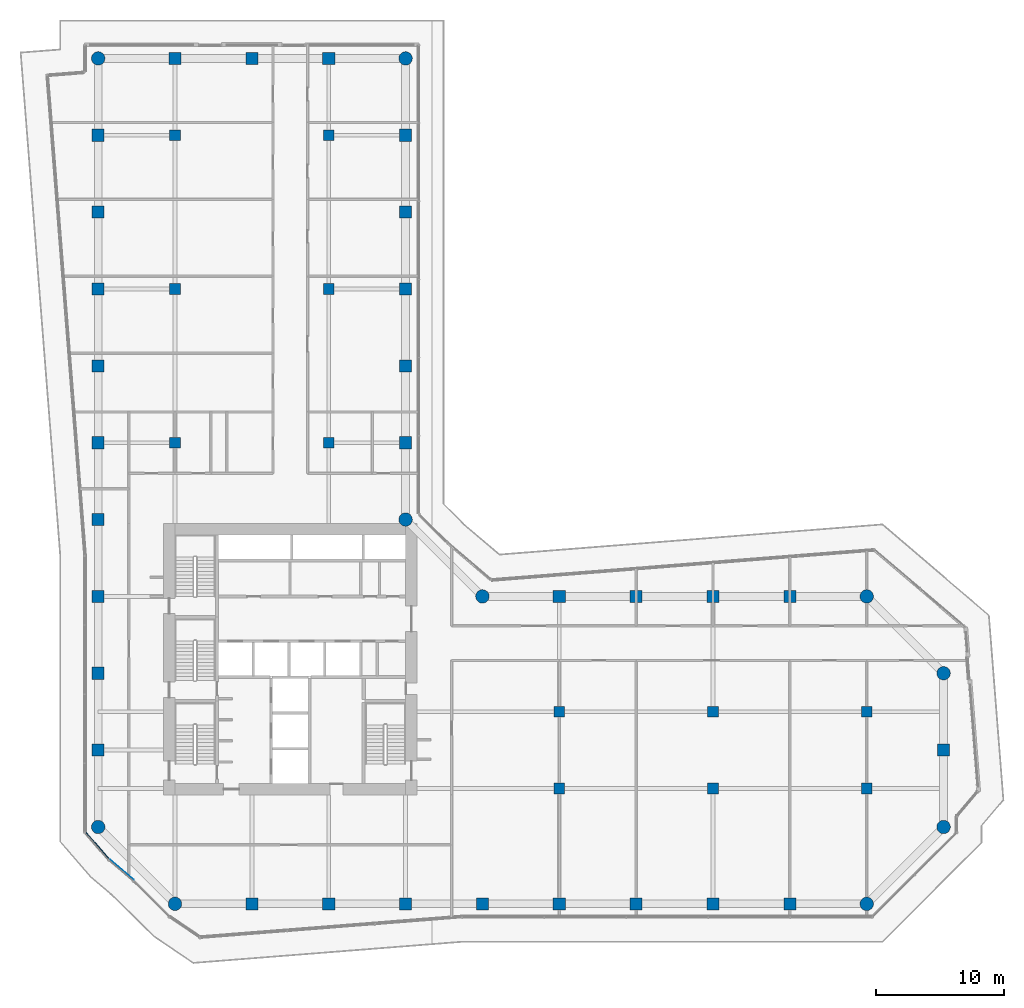
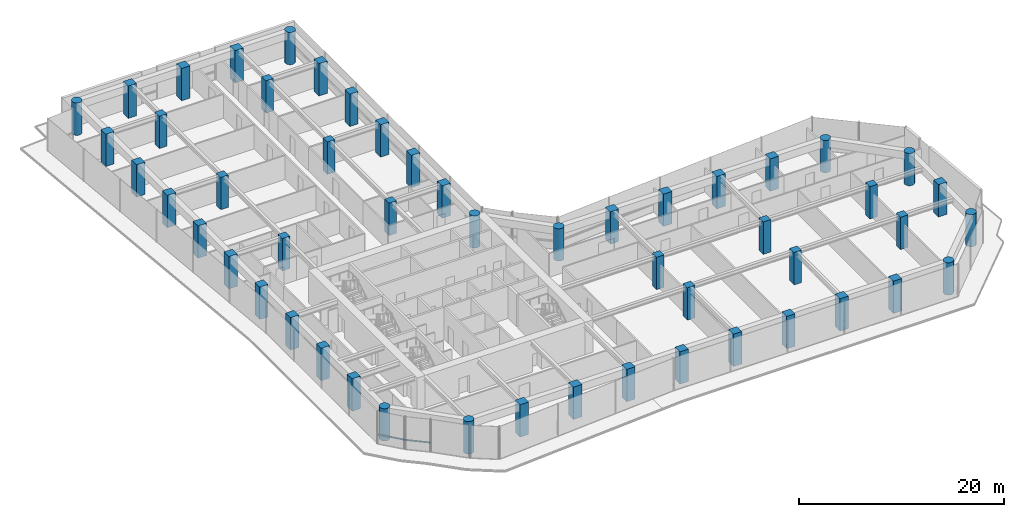
# One storey, part 1 of 28: 52 columns, 2 members, 2 elements without a shape of their own.
"""IFC4 building model written with IfcOpenShell, lengths in metres."""

from ifc_helpers import new_model, si_unit, direction, frame, origin, origin_2d, place, context, subcontext, project, spatial, rectangle, circle, extrude, material, layer, layer_set, material_profile, profile_set, type_object, element, aggregate, save


model = new_model("IFC4")

# Units and contexts
model_context = context("Model", 3, precision=1e-05, world=origin(), true_north=direction((0.0, 1.0)))
body_context = subcontext(model_context, "Body", "Model", "MODEL_VIEW")
ifc_project = project(units=[si_unit("LENGTHUNIT", "METRE"), si_unit("AREAUNIT", "SQUARE_METRE"), si_unit("VOLUMEUNIT", "CUBIC_METRE"), si_unit("PLANEANGLEUNIT", "RADIAN"), si_unit("MASSUNIT", "GRAM", prefix="KILO")], contexts=[model_context])

# Site, building, storey
site_placement = place(None, origin())
site = spatial("IfcSite", under=ifc_project, at=site_placement, CompositionType="ELEMENT")
building_placement = place(site_placement, origin())
building = spatial("IfcBuilding", under=site, at=building_placement, Name="Welwitschia Terrace Campus", CompositionType="ELEMENT")
storey_placement = place(building_placement, frame((0.0, 0.0, 71.0)))
storey = spatial("IfcBuildingStorey", under=building, at=storey_placement, Name="L16", CompositionType="ELEMENT", Elevation=71.0)

# Columns
ifc_material_1 = material(Name="Concrete C60/75", Category="concrete")
ifc_material_profile_1 = material_profile(ifc_material_1, circle(Radius=0.52490234375, at=origin_2d()))
ifc_profile_set_1 = profile_set([ifc_material_profile_1], Name="Concrete C60/75")
column_type_1 = type_object("IfcColumnType", Name="Corner column 1050 dia", PredefinedType="COLUMN", material=ifc_profile_set_1)
for number, where, z_axis, x_axis, name in (
    (1, (0.0, 2.0, 0.0), (0.0, 0.0, 1.0), (1.0, 0.0, 0.0), "Column C5"),
    (2, (0.0, 62.0, 0.0), (0.0, 0.0, 1.0), (1.0, 0.0, 0.0), "Column C5"),
    (3, (6.0, -4.0, 0.0), (0.0, 0.0, 1.0), (1.0, 0.0, 0.0), "Column C5"),
    (4, (24.0, 26.0, 0.0), (0.0, 0.0, 1.0), (1.0, 0.0, 0.0), "Column C5"),
    (5, (24.0, 62.0, 0.0), (0.0, 0.0, 1.0), (1.0, 0.0, 0.0), "Column C5"),
    (6, (30.0, 20.0, 0.0), (0.0, 0.0, 1.0), (1.0, 0.0, 0.0), "Column C5"),
    (7, (60.0, -4.0, 0.0), (0.0, 0.0, 1.0), (1.0, 0.0, 0.0), "Column C5"),
    (8, (60.0, 20.0, 0.0), (0.0, 0.0, 1.0), (1.0, 0.0, 0.0), "Column C5"),
    (9, (66.0, 2.0, 0.0), (0.0, 0.0, 1.0), (1.0, 0.0, 0.0), "Column C5"),
    (10, (66.0, 14.0, 0.0), (0.0, 0.0, 1.0), (1.0, 0.0, 0.0), "Column C5"),
):
    element("IfcColumn", number, at=place(storey_placement, frame(where, z_axis=z_axis, x_axis=x_axis)), inside=storey, type_object=column_type_1, Name=name, PredefinedType="COLUMN", context=body_context, shape_type="SweptSolid", body=[
        extrude(circle(Radius=0.52490234375, at=origin_2d()), origin(), (0.0, 0.0, 1.0), 3.85009765625),
    ])
ifc_material_2 = material(Name="Concrete C60/75", Category="concrete")
ifc_material_profile_2 = material_profile(ifc_material_2, rectangle(XDim=0.85009765625, YDim=0.85009765625, at=origin_2d()))
ifc_profile_set_2 = profile_set([ifc_material_profile_2], Name="Concrete C60/75")
column_type_2 = type_object("IfcColumnType", Name="Interior column 850x850", PredefinedType="COLUMN", material=ifc_profile_set_2)
for number, where, z_axis, x_axis, name in (
    (11, (6.0, 32.0, 0.0), (0.0, 0.0, 1.0), (1.0, 0.0, 0.0), "Column C7"),
    (12, (6.0, 44.0, 0.0), (0.0, 0.0, 1.0), (1.0, 0.0, 0.0), "Column C7"),
    (13, (6.0, 56.0, 0.0), (0.0, 0.0, 1.0), (1.0, 0.0, 0.0), "Column C7"),
    (14, (18.0, 32.0, 0.0), (0.0, 0.0, 1.0), (1.0, 0.0, 0.0), "Column C7"),
    (15, (18.0, 44.0, 0.0), (0.0, 0.0, 1.0), (1.0, 0.0, 0.0), "Column C7"),
    (16, (18.0, 56.0, 0.0), (0.0, 0.0, 1.0), (1.0, 0.0, 0.0), "Column C7"),
    (17, (36.0, 5.0, 0.0), (0.0, 0.0, 1.0), (1.0, 0.0, 0.0), "Column C7"),
    (18, (36.0, 11.0, 0.0), (0.0, 0.0, 1.0), (1.0, 0.0, 0.0), "Column C7"),
    (19, (48.0, 5.0, 0.0), (0.0, 0.0, 1.0), (1.0, 0.0, 0.0), "Column C7"),
    (20, (48.0, 11.0, 0.0), (0.0, 0.0, 1.0), (1.0, 0.0, 0.0), "Column C7"),
    (21, (60.0, 5.0, 0.0), (0.0, 0.0, 1.0), (1.0, 0.0, 0.0), "Column C7"),
    (22, (60.0, 11.0, 0.0), (0.0, 0.0, 1.0), (1.0, 0.0, 0.0), "Column C7"),
):
    element("IfcColumn", number, at=place(storey_placement, frame(where, z_axis=z_axis, x_axis=x_axis)), inside=storey, type_object=column_type_2, Name=name, PredefinedType="COLUMN", context=body_context, shape_type="SweptSolid", body=[
        extrude(rectangle(XDim=0.85009765625, YDim=0.85009765625, at=origin_2d()), origin(), (0.0, 0.0, 1.0), 3.85009765625),
    ])
ifc_material_3 = material(Name="Concrete C60/75", Category="concrete")
ifc_material_profile_3 = material_profile(ifc_material_3, rectangle(XDim=0.949951171875, YDim=0.949951171875, at=origin_2d()))
ifc_profile_set_3 = profile_set([ifc_material_profile_3], Name="Concrete C60/75")
column_type_3 = type_object("IfcColumnType", Name="Ring column 950x950", PredefinedType="COLUMN", material=ifc_profile_set_3)
for number, where, z_axis, x_axis, name in (
    (23, (0.0, 8.0, 0.0), (0.0, 0.0, 1.0), (1.0, 0.0, 0.0), "Column C6"),
    (24, (0.0, 14.0, 0.0), (0.0, 0.0, 1.0), (1.0, 0.0, 0.0), "Column C6"),
    (25, (0.0, 20.0, 0.0), (0.0, 0.0, 1.0), (1.0, 0.0, 0.0), "Column C6"),
    (26, (0.0, 26.0, 0.0), (0.0, 0.0, 1.0), (1.0, 0.0, 0.0), "Column C6"),
    (27, (0.0, 32.0, 0.0), (0.0, 0.0, 1.0), (1.0, 0.0, 0.0), "Column C6"),
    (28, (0.0, 38.0, 0.0), (0.0, 0.0, 1.0), (1.0, 0.0, 0.0), "Column C6"),
    (29, (0.0, 44.0, 0.0), (0.0, 0.0, 1.0), (1.0, 0.0, 0.0), "Column C6"),
    (30, (0.0, 50.0, 0.0), (0.0, 0.0, 1.0), (1.0, 0.0, 0.0), "Column C6"),
    (31, (0.0, 56.0, 0.0), (0.0, 0.0, 1.0), (1.0, 0.0, 0.0), "Column C6"),
    (32, (6.0, 62.0, 0.0), (0.0, 0.0, 1.0), (1.0, 0.0, 0.0), "Column C6"),
    (33, (12.0, -4.0, 0.0), (0.0, 0.0, 1.0), (1.0, 0.0, 0.0), "Column C6"),
    (34, (12.0, 62.0, 0.0), (0.0, 0.0, 1.0), (1.0, 0.0, 0.0), "Column C6"),
    (35, (18.0, -4.0, 0.0), (0.0, 0.0, 1.0), (1.0, 0.0, 0.0), "Column C6"),
    (36, (18.0, 62.0, 0.0), (0.0, 0.0, 1.0), (1.0, 0.0, 0.0), "Column C6"),
    (37, (24.0, -4.0, 0.0), (0.0, 0.0, 1.0), (1.0, 0.0, 0.0), "Column C6"),
    (38, (24.0, 32.0, 0.0), (0.0, 0.0, 1.0), (1.0, 0.0, 0.0), "Column C6"),
    (39, (24.0, 38.0, 0.0), (0.0, 0.0, 1.0), (1.0, 0.0, 0.0), "Column C6"),
    (40, (24.0, 44.0, 0.0), (0.0, 0.0, 1.0), (1.0, 0.0, 0.0), "Column C6"),
    (41, (24.0, 50.0, 0.0), (0.0, 0.0, 1.0), (1.0, 0.0, 0.0), "Column C6"),
    (42, (24.0, 56.0, 0.0), (0.0, 0.0, 1.0), (1.0, 0.0, 0.0), "Column C6"),
    (43, (30.0, -4.0, 0.0), (0.0, 0.0, 1.0), (1.0, 0.0, 0.0), "Column C6"),
    (44, (36.0, -4.0, 0.0), (0.0, 0.0, 1.0), (1.0, 0.0, 0.0), "Column C6"),
    (45, (36.0, 20.0, 0.0), (0.0, 0.0, 1.0), (1.0, 0.0, 0.0), "Column C6"),
    (46, (42.0, -4.0, 0.0), (0.0, 0.0, 1.0), (1.0, 0.0, 0.0), "Column C6"),
    (47, (42.0, 20.0, 0.0), (0.0, 0.0, 1.0), (1.0, 0.0, 0.0), "Column C6"),
    (48, (48.0, -4.0, 0.0), (0.0, 0.0, 1.0), (1.0, 0.0, 0.0), "Column C6"),
    (49, (48.0, 20.0, 0.0), (0.0, 0.0, 1.0), (1.0, 0.0, 0.0), "Column C6"),
    (50, (54.0, -4.0, 0.0), (0.0, 0.0, 1.0), (1.0, 0.0, 0.0), "Column C6"),
    (51, (54.0, 20.0, 0.0), (0.0, 0.0, 1.0), (1.0, 0.0, 0.0), "Column C6"),
    (52, (66.0, 8.0, 0.0), (0.0, 0.0, 1.0), (1.0, 0.0, 0.0), "Column C6"),
):
    element("IfcColumn", number, at=place(storey_placement, frame(where, z_axis=z_axis, x_axis=x_axis)), inside=storey, type_object=column_type_3, Name=name, PredefinedType="COLUMN", context=body_context, shape_type="SweptSolid", body=[
        extrude(rectangle(XDim=0.949951171875, YDim=0.949951171875, at=origin_2d()), origin(), (0.0, 0.0, 1.0), 3.85009765625),
    ])

# Curtain wall, member
ifc_material_4 = material(Name="Bronze anodised aluminium", Category="aluminium")
ifc_layer = layer(ifc_material_4, 0.1201171875)
ifc_layer_set = layer_set([ifc_layer], Name="Bronze anodised aluminium")
curtain_wall_type = type_object("IfcCurtainWallType", Name="Curtain wall CW2 tower 6000", PredefinedType="NOTDEFINED", material=ifc_layer_set)
curtain_wall_1_placement = place(storey_placement, origin())
curtain_wall_1 = element("IfcCurtainWall", 53, at=curtain_wall_1_placement, inside=storey, type_object=curtain_wall_type, Name="CW L16.0.0", PredefinedType="NOTDEFINED")
ifc_material_5 = material(Name="Bronze anodised aluminium", Category="aluminium")
ifc_material_profile_4 = material_profile(ifc_material_5, rectangle(XDim=0.06005859375, YDim=0.14990234375, at=origin_2d()))
ifc_profile_set_4 = profile_set([ifc_material_profile_4], Name="Bronze anodised aluminium")
member_type = type_object("IfcMemberType", Name="Transom 60x150", PredefinedType="USERDEFINED", material=ifc_profile_set_4)
member_1_placement = place(storey_placement, frame((-0.95068359375, 1.577880859375, 1.0), z_axis=(0.656259959878, -0.754534866696, 0.0), x_axis=(0.754534866696, 0.656259959878, 0.0)))
member_1 = element("IfcMember", 54, at=member_1_placement, type_object=member_type, Name="Transom L16.0.0", ObjectType="TRANSOM", PredefinedType="USERDEFINED", context=body_context, shape_type="SweptSolid", body=[
    extrude(rectangle(XDim=0.06005859375, YDim=0.14990234375, at=origin_2d()), origin(), (0.0, 0.0, 1.0), 2.75244140625),
])
aggregate(curtain_wall_1, [member_1])

curtain_wall_2_placement = place(storey_placement, origin())
curtain_wall_2 = element("IfcCurtainWall", 55, at=curtain_wall_2_placement, inside=storey, type_object=curtain_wall_type, Name="CW L16.1.0", PredefinedType="NOTDEFINED")
member_2_placement = place(storey_placement, frame((0.93115234375, -0.573974609375, 1.0), z_axis=(0.760423827741, -0.649427133868, 0.0), x_axis=(0.649427133868, 0.760423827741, 0.0)))
member_2 = element("IfcMember", 56, at=member_2_placement, type_object=member_type, Name="Transom L16.1.0", ObjectType="TRANSOM", PredefinedType="USERDEFINED", context=body_context, shape_type="SweptSolid", body=[
    extrude(rectangle(XDim=0.06005859375, YDim=0.14990234375, at=origin_2d()), origin(), (0.0, 0.0, 1.0), 2.404052734375),
])
aggregate(curtain_wall_2, [member_2])

save(model, "model.ifc")
